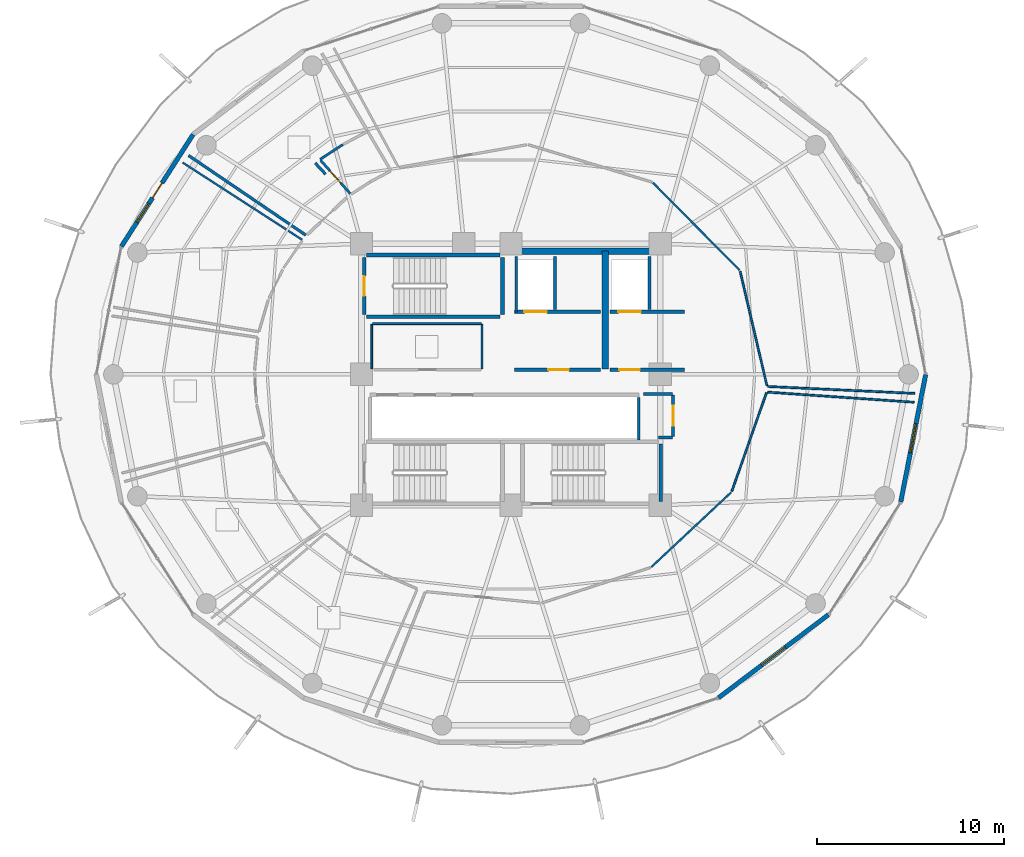
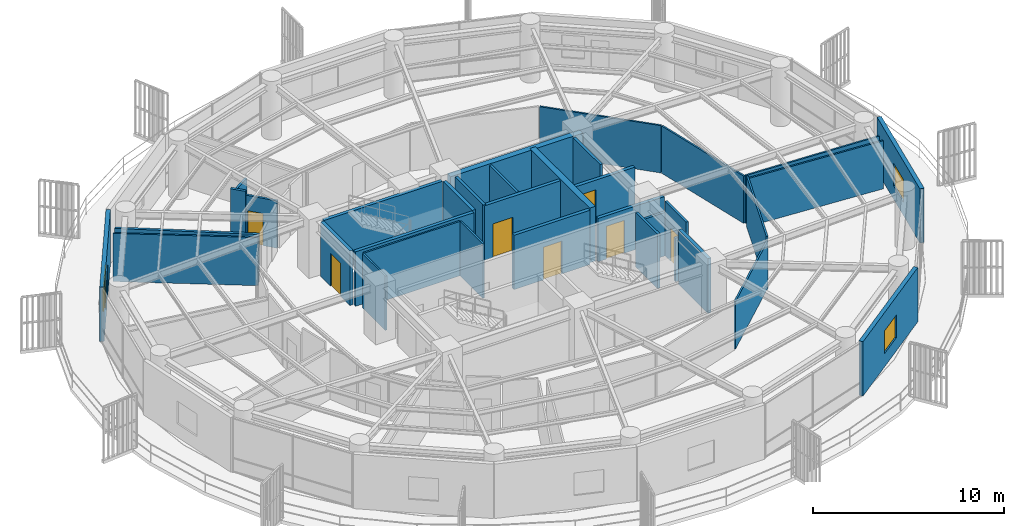
# One storey, part 26 of 31: 35 walls, 8 doors, 3 windows, 11 openings.
"""IFC4 building model written with IfcOpenShell, lengths in metres."""

from ifc_helpers import new_model, si_unit, direction, frame, frame_2d, origin, place, context, subcontext, project, spatial, rectangle, extrude, material, layer, layer_set, type_object, element, fill, save


model = new_model("IFC4")

# Units and contexts
model_context = context("Model", 3, precision=1e-05, world=origin(), true_north=direction((0.0, 1.0)))
body_context = subcontext(model_context, "Body", "Model", "MODEL_VIEW")
ifc_project = project(units=[si_unit("LENGTHUNIT", "METRE"), si_unit("AREAUNIT", "SQUARE_METRE"), si_unit("VOLUMEUNIT", "CUBIC_METRE"), si_unit("PLANEANGLEUNIT", "RADIAN"), si_unit("MASSUNIT", "GRAM", prefix="KILO")], contexts=[model_context])

# Site, building, storey
site_placement = place(None, origin())
site = spatial("IfcSite", under=ifc_project, at=site_placement, CompositionType="ELEMENT")
building_placement = place(site_placement, origin())
building = spatial("IfcBuilding", under=site, at=building_placement, Name="Kelanora Arch Commons", CompositionType="ELEMENT")
storey_placement = place(building_placement, frame((0.0, 0.0, 193.199951171875)))
storey = spatial("IfcBuildingStorey", under=building, at=storey_placement, Name="L49", CompositionType="ELEMENT", Elevation=193.199951171875)

# Walls
ifc_material_1 = material(Name="Autoclaved aerated concrete blockwork with fire plaster", Category="masonry")
ifc_layer_1 = layer(ifc_material_1, 0.14990234375)
ifc_layer_set_1 = layer_set([ifc_layer_1], Name="Autoclaved aerated concrete blockwork with fire plaster")
wall_type_1 = type_object("IfcWallType", Name="W-COMP-150", PredefinedType="PARTITIONING", material=ifc_layer_set_1)
wall_1_placement = place(storey_placement, frame((74.280029296875, 61.35009765625, 0.0), z_axis=(0.0, 0.0, 1.0), x_axis=(0.0, 1.0, 0.0)))
element("IfcWall", 1, at=wall_1_placement, inside=storey, type_object=wall_type_1, Name="Firefighting Lift 1 West Shaft Wall L49", PredefinedType="PARTITIONING", context=body_context, shape_type="SweptSolid", body=[
    extrude(rectangle(XDim=2.969970703125, YDim=0.14990234375, at=frame_2d((1.48486328125, 0.0))), origin(), (0.0, 0.0, 1.0), 3.47998046875),
])
for number, where, z_axis, x_axis, name in (
    (2, (76.360107421875, 61.47998046875, 0.0), (0.0, 0.0, 1.0), (0.0, 1.0, 0.0), "Firefighting Lift 1 East Shaft Wall L49"),
    (3, (81.419921875, 61.47998046875, 0.0), (0.0, 0.0, 1.0), (0.0, 1.0, 0.0), "Firefighting Lift 2 East Shaft Wall L49"),
):
    element("IfcWall", number, at=place(storey_placement, frame(where, z_axis=z_axis, x_axis=x_axis)), inside=storey, type_object=wall_type_1, Name=name, PredefinedType="PARTITIONING", context=body_context, shape_type="SweptSolid", body=[
        extrude(rectangle(XDim=2.840087890625, YDim=0.14990234375, at=frame_2d((1.419921875, 0.0))), origin(), (0.0, 0.0, 1.0), 3.47998046875),
    ])
wall_2_placement = place(storey_placement, frame((80.840087890625, 54.47998046875, 0.0), z_axis=(0.0, 0.0, 1.0), x_axis=(0.0, 1.0, 0.0)))
element("IfcWall", 4, at=wall_2_placement, inside=storey, type_object=wall_type_1, Name="South Lift Bank East Wall L49", PredefinedType="PARTITIONING", context=body_context, shape_type="SweptSolid", body=[
    extrude(rectangle(XDim=2.2900390625, YDim=0.14990234375, at=frame_2d((1.14501953125, 0.0))), origin(), (0.0, 0.0, 1.0), 3.47998046875),
])

# Wall, opening, door
wall_3_placement = place(storey_placement, frame((82.679931640625, 54.679931640625, 0.0), z_axis=(0.0, 0.0, 1.0), x_axis=(0.0, 1.0, 0.0)))
wall_3 = element("IfcWall", 5, at=wall_3_placement, inside=storey, type_object=wall_type_1, Name="Core Housekeeping Store L49 Entry Partition", PredefinedType="PARTITIONING", context=body_context, shape_type="SweptSolid", body=[
    extrude(rectangle(XDim=2.2099609375, YDim=0.14990234375, at=frame_2d((1.10498046875, 0.0))), origin(), (0.0, 0.0, 1.0), 3.47998046875),
])
opening_1_placement = place(wall_3_placement, frame((0.56494140625, 0.0, 0.0)))
opening_1 = element("IfcOpeningElement", 6, at=opening_1_placement, cuts=wall_3, Name="Opening D-PLT1", PredefinedType="OPENING", context=body_context, shape_type="SweptSolid", body=[
    extrude(rectangle(XDim=1.080078125, YDim=2.10009765625, at=frame_2d((0.5400390625, 1.050048828125))), frame((0.0, 0.0849609375, 0.0), z_axis=(0.0, -1.0, 0.0), x_axis=(1.0, 0.0, 0.0)), (0.0, 0.0, 1.0), 0.169921875),
])
ifc_material_2 = material(Name="Galvanised steel plant and riser fire door", Category="steel")
door_type_1 = type_object("IfcDoorType", Name="D-PLT-110", OperationType="NOTDEFINED", PredefinedType="DOOR", material=ifc_material_2)
door_1_placement = place(opening_1_placement, origin())
door_1 = element("IfcDoor", 7, at=door_1_placement, inside=storey, type_object=door_type_1, Name="Core Housekeeping Store L49 Door", OperationType="SINGLE_SWING_LEFT", OverallHeight=2.10009765625, OverallWidth=1.080078125, PredefinedType="DOOR", context=body_context, shape_type="SweptSolid", body=[
    extrude(rectangle(XDim=1.080078125, YDim=2.10009765625, at=frame_2d((0.5400390625, 1.050048828125))), frame((0.0, 0.02490234375, 0.0), z_axis=(0.0, -1.0, 0.0), x_axis=(1.0, 0.0, 0.0)), (0.0, 0.0, 1.0), 0.050048828125),
])
fill(opening_1, door_1)

# Walls
wall_4_placement = place(storey_placement, frame((81.89990234375, 54.6201171875, 0.0), z_axis=(0.0, 0.0, 1.0), x_axis=(1.0, 0.0, 0.0)))
element("IfcWall", 8, at=wall_4_placement, inside=storey, type_object=wall_type_1, Name="Core Housekeeping Store L49 Enclosure Partition 1", PredefinedType="PARTITIONING", context=body_context, shape_type="SweptSolid", body=[
    extrude(rectangle(XDim=0.739990234375, YDim=0.14990234375, at=frame_2d((0.3701171875, 0.0))), origin(), (0.0, 0.0, 1.0), 2.775146484375),
])
wall_5_placement = place(storey_placement, frame((82.639892578125, 56.949951171875, 0.0), z_axis=(0.0, 0.0, 1.0), x_axis=(-1.0, 0.0, 0.0)))
element("IfcWall", 9, at=wall_5_placement, inside=storey, type_object=wall_type_1, Name="Core Housekeeping Store L49 Enclosure Partition 3", PredefinedType="PARTITIONING", context=body_context, shape_type="SweptSolid", body=[
    extrude(rectangle(XDim=1.5498046875, YDim=0.14990234375, at=frame_2d((0.77490234375, 0.0))), origin(), (0.0, 0.0, 1.0), 2.775146484375),
])
wall_6_placement = place(storey_placement, frame((63.012939453125, 65.45654296875, 0.0), z_axis=(0.0, 0.0, 1.0), x_axis=(-0.827032403996, 0.562154251732, 0.0)))
element("IfcWall", 10, at=wall_6_placement, inside=storey, type_object=wall_type_1, Name="Co-Living Studio L49-01 Enclosure Partition 2", PredefinedType="PARTITIONING", context=body_context, shape_type="SweptSolid", body=[
    extrude(rectangle(XDim=7.58837890625, YDim=0.14990234375, at=frame_2d((3.794189453125, 0.0))), origin(), (0.0, 0.0, 1.0), 3.074951171875),
])
wall_7_placement = place(storey_placement, frame((63.51708984375, 69.317626953125, 0.0), z_axis=(0.0, 0.0, 1.0), x_axis=(0.679342729124, -0.733821133782, 0.0)))
element("IfcWall", 11, at=wall_7_placement, inside=storey, type_object=wall_type_1, Name="Co-Living Studio L49-01 Enclosure Partition 7", PredefinedType="PARTITIONING", context=body_context, shape_type="SweptSolid", body=[
    extrude(rectangle(XDim=0.820068359375, YDim=0.14990234375, at=frame_2d((0.41015625, 0.0))), origin(), (0.0, 0.0, 1.0), 3.47998046875),
])
ifc_material_3 = material(Name="Concrete C50/60", Category="concrete")
ifc_layer_2 = layer(ifc_material_3, 0.35009765625)
ifc_layer_set_2 = layer_set([ifc_layer_2], Name="Concrete C50/60")
wall_type_2 = type_object("IfcWallType", Name="W-CORE-350", PredefinedType="SHEAR", material=ifc_layer_set_2)
wall_8_placement = place(storey_placement, frame((74.0, 64.60009765625, 0.0), z_axis=(0.0, 0.0, 1.0), x_axis=(1.0, 0.0, 0.0)))
element("IfcWall", 12, at=wall_8_placement, inside=storey, type_object=wall_type_2, Name="Core Shear Spine L49-CN-E", PredefinedType="SHEAR", context=body_context, shape_type="SweptSolid", body=[
    extrude(rectangle(XDim=8.0, YDim=0.35009765625, at=frame_2d((4.0, 0.0))), origin(), (0.0, 0.0, 1.0), 3.489990234375),
])
wall_9_placement = place(storey_placement, frame((79.050048828125, 58.300048828125, 0.0), z_axis=(0.0, 0.0, 1.0), x_axis=(0.0, 1.0, 0.0)))
element("IfcWall", 13, at=wall_9_placement, inside=storey, type_object=wall_type_2, Name="Core Shear Spine L49-CE-N", PredefinedType="SHEAR", context=body_context, shape_type="SweptSolid", body=[
    extrude(rectangle(XDim=6.300048828125, YDim=0.35009765625, at=frame_2d((3.14990234375, 0.0))), origin(), (0.0, 0.0, 1.0), 3.489990234375),
])

# Wall, openings, door, window
ifc_material_4 = material(Name="Precast concrete C40/50 upper-zone terracotta rainscreen", Category="masonry")
ifc_layer_3 = layer(ifc_material_4, 0.239990234375)
ifc_layer_set_3 = layer_set([ifc_layer_3], Name="Precast concrete C40/50 upper-zone terracotta rainscreen")
wall_type_3 = type_object("IfcWallType", Name="W-EXT-TC2", PredefinedType="SOLIDWALL", material=ifc_layer_set_3)
wall_10_placement = place(storey_placement, frame((56.985595703125, 70.84326171875, 0.0), z_axis=(0.0, 0.0, 1.0), x_axis=(-0.539539512973, -0.841960280501, 0.0)))
wall_10 = element("IfcWall", 14, at=wall_10_placement, inside=storey, type_object=wall_type_3, Name="Terracotta Exterior Wall L49-B07", PredefinedType="SOLIDWALL", context=body_context, shape_type="SweptSolid", body=[
    extrude(rectangle(XDim=7.11474609375, YDim=0.239990234375, at=frame_2d((3.557373046875, 0.0))), origin(), (0.0, 0.0, 1.0), 3.47509765625),
])
opening_2_placement = place(wall_10_placement, frame((3.08203125, 0.0, 0.0)))
opening_2 = element("IfcOpeningElement", 15, at=opening_2_placement, cuts=wall_10, Name="Opening DB-01", PredefinedType="OPENING", context=body_context, shape_type="SweptSolid", body=[
    extrude(rectangle(XDim=0.949951171875, YDim=2.10009765625, at=frame_2d((0.47509765625, 1.050048828125))), frame((0.0, 0.1298828125, 0.0), z_axis=(0.0, -1.0, 0.0), x_axis=(1.0, 0.0, 0.0)), (0.0, 0.0, 1.0), 0.260009765625),
])
opening_3_placement = place(wall_10_placement, frame((4.382080078125, 0.0, 0.85009765625)))
opening_3 = element("IfcOpeningElement", 16, at=opening_3_placement, cuts=wall_10, Name="Opening WN-02", PredefinedType="OPENING", context=body_context, shape_type="SweptSolid", body=[
    extrude(rectangle(XDim=1.199951171875, YDim=1.449951171875, at=frame_2d((0.60009765625, 0.72509765625))), frame((0.0, 0.1298828125, 0.0), z_axis=(0.0, -1.0, 0.0), x_axis=(1.0, 0.0, 0.0)), (0.0, 0.0, 1.0), 0.260009765625),
])
ifc_material_5 = material(Name="Terracotta-aluminium thermally broken glazed balcony door", Category="masonry")
door_type_2 = type_object("IfcDoorType", Name="D-BAL-10", OperationType="NOTDEFINED", PredefinedType="DOOR", material=ifc_material_5)
door_2_placement = place(opening_2_placement, frame((0.949951171875, 0.0, 0.0), z_axis=(0.0, 0.0, 1.0), x_axis=(-1.0, 0.0, 0.0)))
door_2 = element("IfcDoor", 17, at=door_2_placement, inside=storey, type_object=door_type_2, Name="Wave Balcony Door L49-B07", OperationType="SINGLE_SWING_LEFT", OverallHeight=2.10009765625, OverallWidth=0.949951171875, PredefinedType="DOOR", context=body_context, shape_type="SweptSolid", body=[
    extrude(rectangle(XDim=0.949951171875, YDim=2.10009765625, at=frame_2d((0.47509765625, 1.050048828125))), frame((0.0, 0.02490234375, 0.0), z_axis=(0.0, -1.0, 0.0), x_axis=(1.0, 0.0, 0.0)), (0.0, 0.0, 1.0), 0.050048828125),
])
fill(opening_2, door_2)
ifc_material_6 = material(Name="Terracotta-anodised aluminium frame with operable awning sash", Category="masonry")
window_type_1 = type_object("IfcWindowType", Name="WIN-CL-12", PartitioningType="SINGLE_PANEL", PredefinedType="WINDOW", material=ifc_material_6)
window_1_placement = place(opening_3_placement, origin())
window_1 = element("IfcWindow", 18, at=window_1_placement, inside=storey, type_object=window_type_1, Name="Co-Living Operable Window L49-B07", OverallHeight=1.449951171875, OverallWidth=1.199951171875, PartitioningType="SINGLE_PANEL", PredefinedType="WINDOW", context=body_context, shape_type="SweptSolid", body=[
    extrude(rectangle(XDim=1.199951171875, YDim=1.449951171875, at=frame_2d((0.60009765625, 0.72509765625))), frame((0.0, 0.030029296875, 0.0), z_axis=(0.0, -1.0, 0.0), x_axis=(1.0, 0.0, 0.0)), (0.0, 0.0, 1.0), 0.06005859375),
])
fill(opening_3, window_1)

# Wall, opening, window
wall_11_placement = place(storey_placement, frame((85.112060546875, 40.6884765625, 0.0), z_axis=(0.0, 0.0, 1.0), x_axis=(0.797701674595, 0.603052268338, 0.0)))
wall_11 = element("IfcWall", 19, at=wall_11_placement, inside=storey, type_object=wall_type_3, Name="Terracotta Exterior Wall L49-B15", PredefinedType="SOLIDWALL", context=body_context, shape_type="SweptSolid", body=[
    extrude(rectangle(XDim=7.373779296875, YDim=0.239990234375, at=frame_2d((3.68701171875, 0.0))), origin(), (0.0, 0.0, 1.0), 3.47509765625),
])
opening_4_placement = place(wall_11_placement, frame((2.886962890625, 0.0, 0.85009765625)))
opening_4 = element("IfcOpeningElement", 20, at=opening_4_placement, cuts=wall_11, Name="Opening WN-01", PredefinedType="OPENING", context=body_context, shape_type="SweptSolid", body=[
    extrude(rectangle(XDim=1.60009765625, YDim=1.449951171875, at=frame_2d((0.800048828125, 0.72509765625))), frame((0.0, 0.1298828125, 0.0), z_axis=(0.0, -1.0, 0.0), x_axis=(1.0, 0.0, 0.0)), (0.0, 0.0, 1.0), 0.260009765625),
])
ifc_material_7 = material(Name="Terracotta-anodised aluminium frame with operable low-E glazing", Category="masonry")
window_type_2 = type_object("IfcWindowType", Name="WIN-CL-18", PartitioningType="DOUBLE_PANEL_VERTICAL", PredefinedType="WINDOW", material=ifc_material_7)
window_2_placement = place(opening_4_placement, origin())
window_2 = element("IfcWindow", 21, at=window_2_placement, inside=storey, type_object=window_type_2, Name="Co-Living Operable Window L49-B15", OverallHeight=1.449951171875, OverallWidth=1.60009765625, PartitioningType="SINGLE_PANEL", PredefinedType="WINDOW", context=body_context, shape_type="SweptSolid", body=[
    extrude(rectangle(XDim=1.60009765625, YDim=1.449951171875, at=frame_2d((0.800048828125, 0.72509765625))), frame((0.0, 0.030029296875, 0.0), z_axis=(0.0, -1.0, 0.0), x_axis=(1.0, 0.0, 0.0)), (0.0, 0.0, 1.0), 0.06005859375),
])
fill(opening_4, window_2)

wall_12_placement = place(storey_placement, frame((94.864013671875, 51.17431640625, 0.0), z_axis=(0.0, 0.0, 1.0), x_axis=(0.192069055673, 0.981381413036, 0.0)))
wall_12 = element("IfcWall", 22, at=wall_12_placement, inside=storey, type_object=wall_type_3, Name="Terracotta Exterior Wall L49-B17", PredefinedType="SOLIDWALL", context=body_context, shape_type="SweptSolid", body=[
    extrude(rectangle(XDim=6.940185546875, YDim=0.239990234375, at=frame_2d((3.47021484375, 0.0))), origin(), (0.0, 0.0, 1.0), 3.47509765625),
])
opening_5_placement = place(wall_12_placement, frame((2.669921875, 0.0, 0.85009765625)))
opening_5 = element("IfcOpeningElement", 23, at=opening_5_placement, cuts=wall_12, Name="Opening WN-01", PredefinedType="OPENING", context=body_context, shape_type="SweptSolid", body=[
    extrude(rectangle(XDim=1.60009765625, YDim=1.449951171875, at=frame_2d((0.800048828125, 0.72509765625))), frame((0.0, 0.1298828125, 0.0), z_axis=(0.0, -1.0, 0.0), x_axis=(1.0, 0.0, 0.0)), (0.0, 0.0, 1.0), 0.260009765625),
])
window_3_placement = place(opening_5_placement, origin())
window_3 = element("IfcWindow", 24, at=window_3_placement, inside=storey, type_object=window_type_2, Name="Co-Living Operable Window L49-B17", OverallHeight=1.449951171875, OverallWidth=1.60009765625, PartitioningType="SINGLE_PANEL", PredefinedType="WINDOW", context=body_context, shape_type="SweptSolid", body=[
    extrude(rectangle(XDim=1.60009765625, YDim=1.449951171875, at=frame_2d((0.800048828125, 0.72509765625))), frame((0.0, 0.030029296875, 0.0), z_axis=(0.0, -1.0, 0.0), x_axis=(1.0, 0.0, 0.0)), (0.0, 0.0, 1.0), 0.06005859375),
])
fill(opening_5, window_3)

# Wall, opening, door
ifc_material_8 = material(Name="Concrete C40/50", Category="concrete")
ifc_layer_4 = layer(ifc_material_8, 0.199951171875)
ifc_layer_set_4 = layer_set([ifc_layer_4], Name="Concrete C40/50")
wall_type_4 = type_object("IfcWallType", Name="W-FFL-200", PredefinedType="SOLIDWALL", material=ifc_layer_set_4)
wall_13_placement = place(storey_placement, frame((74.199951171875, 61.35009765625, 0.0), z_axis=(0.0, 0.0, 1.0), x_axis=(1.0, 0.0, 0.0)))
wall_13 = element("IfcWall", 25, at=wall_13_placement, inside=storey, type_object=wall_type_4, Name="Firefighting Lift 1 Shaft Front L49", PredefinedType="SOLIDWALL", context=body_context, shape_type="SweptSolid", body=[
    extrude(rectangle(XDim=4.60009765625, YDim=0.199951171875, at=frame_2d((2.300048828125, 0.0))), origin(), (0.0, 0.0, 1.0), 3.47998046875),
])
opening_6_placement = place(wall_13_placement, frame((0.52001953125, 0.0, 0.0)))
opening_6 = element("IfcOpeningElement", 26, at=opening_6_placement, cuts=wall_13, Name="Opening LD-FF", PredefinedType="OPENING", context=body_context, shape_type="SweptSolid", body=[
    extrude(rectangle(XDim=1.199951171875, YDim=2.14990234375, at=frame_2d((0.60009765625, 1.074951171875))), frame((0.0, 0.10986328125, 0.0), z_axis=(0.0, -1.0, 0.0), x_axis=(1.0, 0.0, 0.0)), (0.0, 0.0, 1.0), 0.219970703125),
])
ifc_material_9 = material(Name="Fire-rated firefighters lift sliding landing door")
door_type_3 = type_object("IfcDoorType", Name="D-LIFT-FF", OperationType="NOTDEFINED", PredefinedType="DOOR", material=ifc_material_9)
door_3_placement = place(opening_6_placement, origin())
door_3 = element("IfcDoor", 27, at=door_3_placement, inside=storey, type_object=door_type_3, Name="Firefighting Lift LF-FF1 Landing Door L49", OperationType="DOUBLE_DOOR_SLIDING", OverallHeight=2.14990234375, OverallWidth=1.199951171875, PredefinedType="DOOR", context=body_context, shape_type="SweptSolid", body=[
    extrude(rectangle(XDim=1.199951171875, YDim=2.14990234375, at=frame_2d((0.60009765625, 1.074951171875))), frame((0.0, 0.02490234375, 0.0), z_axis=(0.0, -1.0, 0.0), x_axis=(1.0, 0.0, 0.0)), (0.0, 0.0, 1.0), 0.050048828125),
])
fill(opening_6, door_3)

wall_14_placement = place(storey_placement, frame((79.300048828125, 61.35009765625, 0.0), z_axis=(0.0, 0.0, 1.0), x_axis=(1.0, 0.0, 0.0)))
wall_14 = element("IfcWall", 28, at=wall_14_placement, inside=storey, type_object=wall_type_4, Name="Firefighting Lift 2 Shaft Front L49", PredefinedType="SOLIDWALL", context=body_context, shape_type="SweptSolid", body=[
    extrude(rectangle(XDim=4.0, YDim=0.199951171875, at=frame_2d((2.0, 0.0))), origin(), (0.0, 0.0, 1.0), 2.775146484375),
])
opening_7_placement = place(wall_14_placement, frame((0.449951171875, 0.0, 0.0)))
opening_7 = element("IfcOpeningElement", 29, at=opening_7_placement, cuts=wall_14, Name="Opening LD-FF", PredefinedType="OPENING", context=body_context, shape_type="SweptSolid", body=[
    extrude(rectangle(XDim=1.199951171875, YDim=2.14990234375, at=frame_2d((0.60009765625, 1.074951171875))), frame((0.0, 0.10986328125, 0.0), z_axis=(0.0, -1.0, 0.0), x_axis=(1.0, 0.0, 0.0)), (0.0, 0.0, 1.0), 0.219970703125),
])
door_4_placement = place(opening_7_placement, origin())
door_4 = element("IfcDoor", 30, at=door_4_placement, inside=storey, type_object=door_type_3, Name="Firefighting Lift LF-FF2 Landing Door L49", OperationType="DOUBLE_DOOR_SLIDING", OverallHeight=2.14990234375, OverallWidth=1.199951171875, PredefinedType="DOOR", context=body_context, shape_type="SweptSolid", body=[
    extrude(rectangle(XDim=1.199951171875, YDim=2.14990234375, at=frame_2d((0.60009765625, 1.074951171875))), frame((0.0, 0.02490234375, 0.0), z_axis=(0.0, -1.0, 0.0), x_axis=(1.0, 0.0, 0.0)), (0.0, 0.0, 1.0), 0.050048828125),
])
fill(opening_7, door_4)

wall_15_placement = place(storey_placement, frame((74.199951171875, 58.25, 0.0), z_axis=(0.0, 0.0, 1.0), x_axis=(1.0, 0.0, 0.0)))
wall_15 = element("IfcWall", 31, at=wall_15_placement, inside=storey, type_object=wall_type_4, Name="Firefighting Lobby 1 Enclosure Wall L49", PredefinedType="SOLIDWALL", context=body_context, shape_type="SweptSolid", body=[
    extrude(rectangle(XDim=4.60009765625, YDim=0.199951171875, at=frame_2d((2.300048828125, 0.0))), origin(), (0.0, 0.0, 1.0), 3.47998046875),
])
opening_8_placement = place(wall_15_placement, frame((1.800048828125, 0.0, 0.0)))
opening_8 = element("IfcOpeningElement", 32, at=opening_8_placement, cuts=wall_15, Name="Opening D-FFL1", PredefinedType="OPENING", context=body_context, shape_type="SweptSolid", body=[
    extrude(rectangle(XDim=1.10009765625, YDim=2.10009765625, at=frame_2d((0.550048828125, 1.050048828125))), frame((0.0, 0.10986328125, 0.0), z_axis=(0.0, -1.0, 0.0), x_axis=(1.0, 0.0, 0.0)), (0.0, 0.0, 1.0), 0.219970703125),
])
ifc_material_10 = material(Name="Smoke-sealed firefighting lobby fire door")
door_type_4 = type_object("IfcDoorType", Name="D-FFL-110", OperationType="NOTDEFINED", PredefinedType="DOOR", material=ifc_material_10)
door_5_placement = place(opening_8_placement, frame((1.10009765625, 0.0, 0.0), z_axis=(0.0, 0.0, 1.0), x_axis=(-1.0, 0.0, 0.0)))
door_5 = element("IfcDoor", 33, at=door_5_placement, inside=storey, type_object=door_type_4, Name="Firefighting Lobby 1 Door L49", OperationType="SINGLE_SWING_LEFT", OverallHeight=2.10009765625, OverallWidth=1.10009765625, PredefinedType="DOOR", context=body_context, shape_type="SweptSolid", body=[
    extrude(rectangle(XDim=1.10009765625, YDim=2.10009765625, at=frame_2d((0.550048828125, 1.050048828125))), frame((0.0, 0.02490234375, 0.0), z_axis=(0.0, -1.0, 0.0), x_axis=(1.0, 0.0, 0.0)), (0.0, 0.0, 1.0), 0.050048828125),
])
fill(opening_8, door_5)

wall_16_placement = place(storey_placement, frame((79.300048828125, 58.25, 0.0), z_axis=(0.0, 0.0, 1.0), x_axis=(1.0, 0.0, 0.0)))
wall_16 = element("IfcWall", 34, at=wall_16_placement, inside=storey, type_object=wall_type_4, Name="Firefighting Lobby 2 Enclosure Wall L49", PredefinedType="SOLIDWALL", context=body_context, shape_type="SweptSolid", body=[
    extrude(rectangle(XDim=4.0, YDim=0.199951171875, at=frame_2d((2.0, 0.0))), origin(), (0.0, 0.0, 1.0), 2.775146484375),
])
opening_9_placement = place(wall_16_placement, frame((0.5, 0.0, 0.0)))
opening_9 = element("IfcOpeningElement", 35, at=opening_9_placement, cuts=wall_16, Name="Opening D-FFL1", PredefinedType="OPENING", context=body_context, shape_type="SweptSolid", body=[
    extrude(rectangle(XDim=1.10009765625, YDim=2.10009765625, at=frame_2d((0.550048828125, 1.050048828125))), frame((0.0, 0.10986328125, 0.0), z_axis=(0.0, -1.0, 0.0), x_axis=(1.0, 0.0, 0.0)), (0.0, 0.0, 1.0), 0.219970703125),
])
door_6_placement = place(opening_9_placement, frame((1.10009765625, 0.0, 0.0), z_axis=(0.0, 0.0, 1.0), x_axis=(-1.0, 0.0, 0.0)))
door_6 = element("IfcDoor", 36, at=door_6_placement, inside=storey, type_object=door_type_4, Name="Firefighting Lobby 2 Door L49", OperationType="SINGLE_SWING_RIGHT", OverallHeight=2.10009765625, OverallWidth=1.10009765625, PredefinedType="DOOR", context=body_context, shape_type="SweptSolid", body=[
    extrude(rectangle(XDim=1.10009765625, YDim=2.10009765625, at=frame_2d((0.550048828125, 1.050048828125))), frame((0.0, 0.02490234375, 0.0), z_axis=(0.0, -1.0, 0.0), x_axis=(1.0, 0.0, 0.0)), (0.0, 0.0, 1.0), 0.050048828125),
])
fill(opening_9, door_6)

# Walls
ifc_material_11 = material(Name="Lightweight fire-rated acoustic stud partition")
ifc_layer_5 = layer(ifc_material_11, 0.10009765625)
ifc_layer_set_5 = layer_set([ifc_layer_5], Name="Lightweight fire-rated acoustic stud partition")
wall_type_5 = type_object("IfcWallType", Name="W-PART-100", PredefinedType="PARTITIONING", material=ifc_layer_set_5)
wall_17_placement = place(storey_placement, frame((72.449951171875, 58.2900390625, 0.0), z_axis=(0.0, 0.0, 1.0), x_axis=(0.0, 1.0, 0.0)))
element("IfcWall", 37, at=wall_17_placement, inside=storey, type_object=wall_type_5, Name="Reclaimed Core Study Pod Lounge L49 Enclosure Partition 2", PredefinedType="PARTITIONING", context=body_context, shape_type="SweptSolid", body=[
    extrude(rectangle(XDim=2.389892578125, YDim=0.10009765625, at=frame_2d((1.19482421875, 0.0))), origin(), (0.0, 0.0, 1.0), 3.47998046875),
])
wall_18_placement = place(storey_placement, frame((72.409912109375, 60.719970703125, 0.0), z_axis=(0.0, 0.0, 1.0), x_axis=(-1.0, 0.0, 0.0)))
element("IfcWall", 38, at=wall_18_placement, inside=storey, type_object=wall_type_5, Name="Reclaimed Core Study Pod Lounge L49 Enclosure Partition 3", PredefinedType="PARTITIONING", context=body_context, shape_type="SweptSolid", body=[
    extrude(rectangle(XDim=5.81982421875, YDim=0.10009765625, at=frame_2d((2.909912109375, 0.0))), origin(), (0.0, 0.0, 1.0), 3.47998046875),
])
wall_19_placement = place(storey_placement, frame((66.550048828125, 60.679931640625, 0.0), z_axis=(0.0, 0.0, 1.0), x_axis=(0.0, -1.0, 0.0)))
element("IfcWall", 39, at=wall_19_placement, inside=storey, type_object=wall_type_5, Name="Reclaimed Core Study Pod Lounge L49 Enclosure Partition 4", PredefinedType="PARTITIONING", context=body_context, shape_type="SweptSolid", body=[
    extrude(rectangle(XDim=2.383056640625, YDim=0.10009765625, at=frame_2d((1.19140625, 0.0))), origin(), (0.0, 0.0, 1.0), 3.47998046875),
])
wall_20_placement = place(storey_placement, frame((81.51708984375, 47.6923828125, 0.0), z_axis=(0.0, 0.0, 1.0), x_axis=(0.730053355202, 0.683390151055, 0.0)))
element("IfcWall", 40, at=wall_20_placement, inside=storey, type_object=wall_type_5, Name="South-East Shared Study Commons L49 Enclosure Partition 3", PredefinedType="PARTITIONING", context=body_context, shape_type="SweptSolid", body=[
    extrude(rectangle(XDim=5.8388671875, YDim=0.10009765625, at=frame_2d((2.91943359375, 0.0))), origin(), (0.0, 0.0, 1.0), 3.025146484375),
])
wall_21_placement = place(storey_placement, frame((85.822265625, 51.747802734375, 0.0), z_axis=(0.0, 0.0, 1.0), x_axis=(0.332024335159, 0.943270820529, 0.0)))
element("IfcWall", 41, at=wall_21_placement, inside=storey, type_object=wall_type_5, Name="South-East Shared Study Commons L49 Enclosure Partition 4", PredefinedType="PARTITIONING", context=body_context, shape_type="SweptSolid", body=[
    extrude(rectangle(XDim=5.58544921875, YDim=0.10009765625, at=frame_2d((2.792724609375, 0.0))), origin(), (0.0, 0.0, 1.0), 3.235107421875),
])
wall_22_placement = place(storey_placement, frame((87.72998046875, 57.05126953125, 0.0), z_axis=(0.0, 0.0, 1.0), x_axis=(0.997618411112, -0.068974675135, 0.0)))
element("IfcWall", 42, at=wall_22_placement, inside=storey, type_object=wall_type_5, Name="South-East Shared Study Commons L49 Enclosure Partition 5", PredefinedType="PARTITIONING", context=body_context, shape_type="SweptSolid", body=[
    extrude(rectangle(XDim=7.864990234375, YDim=0.10009765625, at=frame_2d((3.9326171875, 0.0))), origin(), (0.0, 0.0, 1.0), 3.074951171875),
])
wall_23_placement = place(storey_placement, frame((87.701904296875, 57.393798828125, 0.0), z_axis=(0.0, 0.0, 1.0), x_axis=(-0.227915038397, 0.973681023371, 0.0)))
element("IfcWall", 43, at=wall_23_placement, inside=storey, type_object=wall_type_5, Name="North-East Shared Cluster Kitchen L49 Enclosure Partition 1", PredefinedType="PARTITIONING", context=body_context, shape_type="SweptSolid", body=[
    extrude(rectangle(XDim=6.282470703125, YDim=0.10009765625, at=frame_2d((3.14111328125, 0.0))), origin(), (0.0, 0.0, 1.0), 3.025146484375),
])
wall_24_placement = place(storey_placement, frame((86.23291015625, 63.578369140625, 0.0), z_axis=(0.0, 0.0, 1.0), x_axis=(-0.70340399661, 0.710790276771, 0.0)))
element("IfcWall", 44, at=wall_24_placement, inside=storey, type_object=wall_type_5, Name="North-East Shared Cluster Kitchen L49 Enclosure Partition 2", PredefinedType="PARTITIONING", context=body_context, shape_type="SweptSolid", body=[
    extrude(rectangle(XDim=6.57763671875, YDim=0.10009765625, at=frame_2d((3.288818359375, 0.0))), origin(), (0.0, 0.0, 1.0), 3.025146484375),
])
wall_25_placement = place(storey_placement, frame((95.610107421875, 56.98193359375, 0.0), z_axis=(0.0, 0.0, 1.0), x_axis=(-0.99888708301, 0.047165616668, 0.0)))
element("IfcWall", 45, at=wall_25_placement, inside=storey, type_object=wall_type_5, Name="North-East Shared Cluster Kitchen L49 Enclosure Partition 10", PredefinedType="PARTITIONING", context=body_context, shape_type="SweptSolid", body=[
    extrude(rectangle(XDim=7.867919921875, YDim=0.10009765625, at=frame_2d((3.93408203125, 0.0))), origin(), (0.0, 0.0, 1.0), 3.074951171875),
])
wall_26_placement = place(storey_placement, frame((56.423583984375, 69.34033203125, 0.0), z_axis=(0.0, 0.0, 1.0), x_axis=(0.840045167757, -0.542516466228, 0.0)))
element("IfcWall", 46, at=wall_26_placement, inside=storey, type_object=wall_type_5, Name="Communal Dining and Social Hall L49-02 Enclosure Partition 8", PredefinedType="PARTITIONING", context=body_context, shape_type="SweptSolid", body=[
    extrude(rectangle(XDim=7.606689453125, YDim=0.10009765625, at=frame_2d((3.80322265625, 0.0))), origin(), (0.0, 0.0, 1.0), 3.074951171875),
])
ifc_layer_6 = layer(ifc_material_8, 0.199951171875)
ifc_layer_set_6 = layer_set([ifc_layer_6], Name="Concrete C40/50")
wall_type_6 = type_object("IfcWallType", Name="W-STAIR-200", PredefinedType="SHEAR", material=ifc_layer_set_6)
wall_27_placement = place(storey_placement, frame((66.260009765625, 61.080078125, 0.0), z_axis=(0.0, 0.0, 1.0), x_axis=(1.0, 0.0, 0.0)))
element("IfcWall", 47, at=wall_27_placement, inside=storey, type_object=wall_type_6, Name="Stair ST-T1 Shaft Wall S L49", PredefinedType="SHEAR", context=body_context, shape_type="SweptSolid", body=[
    extrude(rectangle(XDim=7.159912109375, YDim=0.199951171875, at=frame_2d((3.580078125, 0.0))), origin(), (0.0, 0.0, 1.0), 3.489990234375),
])
wall_28_placement = place(storey_placement, frame((73.5400390625, 61.199951171875, 0.0), z_axis=(0.0, 0.0, 1.0), x_axis=(0.0, 1.0, 0.0)))
element("IfcWall", 48, at=wall_28_placement, inside=storey, type_object=wall_type_6, Name="Stair ST-T1 Shaft Wall E L49", PredefinedType="SHEAR", context=body_context, shape_type="SweptSolid", body=[
    extrude(rectangle(XDim=3.070068359375, YDim=0.199951171875, at=frame_2d((1.53515625, 0.0))), origin(), (0.0, 0.0, 1.0), 3.489990234375),
])
wall_29_placement = place(storey_placement, frame((73.419921875, 64.389892578125, 0.0), z_axis=(0.0, 0.0, 1.0), x_axis=(-1.0, 0.0, 0.0)))
element("IfcWall", 49, at=wall_29_placement, inside=storey, type_object=wall_type_6, Name="Stair ST-T1 Shaft Wall N L49", PredefinedType="SHEAR", context=body_context, shape_type="SweptSolid", body=[
    extrude(rectangle(XDim=7.159912109375, YDim=0.199951171875, at=frame_2d((3.580078125, 0.0))), origin(), (0.0, 0.0, 1.0), 3.489990234375),
])

# Wall, opening, door
wall_30_placement = place(storey_placement, frame((66.139892578125, 64.27001953125, 0.0), z_axis=(0.0, 0.0, 1.0), x_axis=(0.0, -1.0, 0.0)))
wall_30 = element("IfcWall", 50, at=wall_30_placement, inside=storey, type_object=wall_type_6, Name="Stair ST-T1 Shaft Wall W L49", PredefinedType="SHEAR", context=body_context, shape_type="SweptSolid", body=[
    extrude(rectangle(XDim=3.070068359375, YDim=0.199951171875, at=frame_2d((1.53515625, 0.0))), origin(), (0.0, 0.0, 1.0), 3.489990234375),
])
opening_10_placement = place(wall_30_placement, frame((1.010009765625, 0.0, 0.0)))
opening_10 = element("IfcOpeningElement", 51, at=opening_10_placement, cuts=wall_30, Name="Opening D-ST1", PredefinedType="OPENING", context=body_context, shape_type="SweptSolid", body=[
    extrude(rectangle(XDim=1.050048828125, YDim=2.10009765625, at=frame_2d((0.52490234375, 1.050048828125))), frame((0.0, 0.10986328125, 0.0), z_axis=(0.0, -1.0, 0.0), x_axis=(1.0, 0.0, 0.0)), (0.0, 0.0, 1.0), 0.219970703125),
])
ifc_material_12 = material(Name="Steel fire-rated stairwell escape door", Category="steel")
door_type_5 = type_object("IfcDoorType", Name="D-STAIR-110", OperationType="NOTDEFINED", PredefinedType="DOOR", material=ifc_material_12)
door_7_placement = place(opening_10_placement, origin())
door_7 = element("IfcDoor", 52, at=door_7_placement, inside=storey, type_object=door_type_5, Name="Stair ST-T1 Escape Door L49", OperationType="SINGLE_SWING_LEFT", OverallHeight=2.10009765625, OverallWidth=1.050048828125, PredefinedType="DOOR", context=body_context, shape_type="SweptSolid", body=[
    extrude(rectangle(XDim=1.050048828125, YDim=2.10009765625, at=frame_2d((0.52490234375, 1.050048828125))), frame((0.0, 0.02490234375, 0.0), z_axis=(0.0, -1.0, 0.0), x_axis=(1.0, 0.0, 0.0)), (0.0, 0.0, 1.0), 0.050048828125),
])
fill(opening_10, door_7)

# Wall
wall_31_placement = place(storey_placement, frame((82.02001953125, 51.199951171875, 0.0), z_axis=(0.0, 0.0, 1.0), x_axis=(0.0, 1.0, 0.0)))
element("IfcWall", 53, at=wall_31_placement, inside=storey, type_object=wall_type_6, Name="Stair ST-T2 Shaft Wall E L49", PredefinedType="SHEAR", context=body_context, shape_type="SweptSolid", body=[
    extrude(rectangle(XDim=3.070068359375, YDim=0.199951171875, at=frame_2d((1.53515625, 0.0))), origin(), (0.0, 0.0, 1.0), 3.489990234375),
])

# Wall, opening, door
ifc_material_13 = material(Name="Moisture-resistant fire-rated cement-board plumbing wall")
ifc_layer_7 = layer(ifc_material_13, 0.1298828125)
ifc_layer_set_7 = layer_set([ifc_layer_7], Name="Moisture-resistant fire-rated cement-board plumbing wall")
wall_type_7 = type_object("IfcWallType", Name="W-WET-120", PredefinedType="PLUMBINGWALL", material=ifc_layer_set_7)
wall_32_placement = place(storey_placement, frame((65.39208984375, 67.6796875, 0.0), z_axis=(0.0, 0.0, 1.0), x_axis=(-0.664446610682, 0.747335735498, 0.0)))
wall_32 = element("IfcWall", 54, at=wall_32_placement, inside=storey, type_object=wall_type_7, Name="En-Suite Shower WC L49-01 Entry Partition", PredefinedType="PLUMBINGWALL", context=body_context, shape_type="SweptSolid", body=[
    extrude(rectangle(XDim=2.3798828125, YDim=0.1298828125, at=frame_2d((1.18994140625, 0.0))), origin(), (0.0, 0.0, 1.0), 3.025146484375),
])
opening_11_placement = place(wall_32_placement, frame((0.760009765625, 0.0, 0.0)))
opening_11 = element("IfcOpeningElement", 55, at=opening_11_placement, cuts=wall_32, Name="Opening D-BT1", PredefinedType="OPENING", context=body_context, shape_type="SweptSolid", body=[
    extrude(rectangle(XDim=0.860107421875, YDim=2.050048828125, at=frame_2d((0.43017578125, 1.02490234375))), frame((0.0, 0.074951171875, 0.0), z_axis=(0.0, -1.0, 0.0), x_axis=(1.0, 0.0, 0.0)), (0.0, 0.0, 1.0), 0.14990234375),
])
ifc_material_14 = material(Name="Moisture-sealed fire-rated accessible bathroom door")
door_type_6 = type_object("IfcDoorType", Name="D-BATH-85", OperationType="NOTDEFINED", PredefinedType="DOOR", material=ifc_material_14)
door_8_placement = place(opening_11_placement, origin())
door_8 = element("IfcDoor", 56, at=door_8_placement, inside=storey, type_object=door_type_6, Name="En-Suite Shower WC L49-01 Door", OperationType="SINGLE_SWING_LEFT", OverallHeight=2.050048828125, OverallWidth=0.860107421875, PredefinedType="DOOR", context=body_context, shape_type="SweptSolid", body=[
    extrude(rectangle(XDim=0.860107421875, YDim=2.050048828125, at=frame_2d((0.43017578125, 1.02490234375))), frame((0.0, 0.02490234375, 0.0), z_axis=(0.0, -1.0, 0.0), x_axis=(1.0, 0.0, 0.0)), (0.0, 0.0, 1.0), 0.050048828125),
])
fill(opening_11, door_8)

# Wall
wall_33_placement = place(storey_placement, frame((63.787841796875, 69.513916015625, 0.0), z_axis=(0.0, 0.0, 1.0), x_axis=(0.838106296982, 0.545506952255, 0.0)))
element("IfcWall", 57, at=wall_33_placement, inside=storey, type_object=wall_type_7, Name="En-Suite Shower WC L49-01 Enclosure Partition 4", PredefinedType="PLUMBINGWALL", context=body_context, shape_type="SweptSolid", body=[
    extrude(rectangle(XDim=1.439208984375, YDim=0.1298828125, at=frame_2d((0.7197265625, 0.0))), origin(), (0.0, 0.0, 1.0), 3.025146484375),
])

save(model, "model.ifc")
